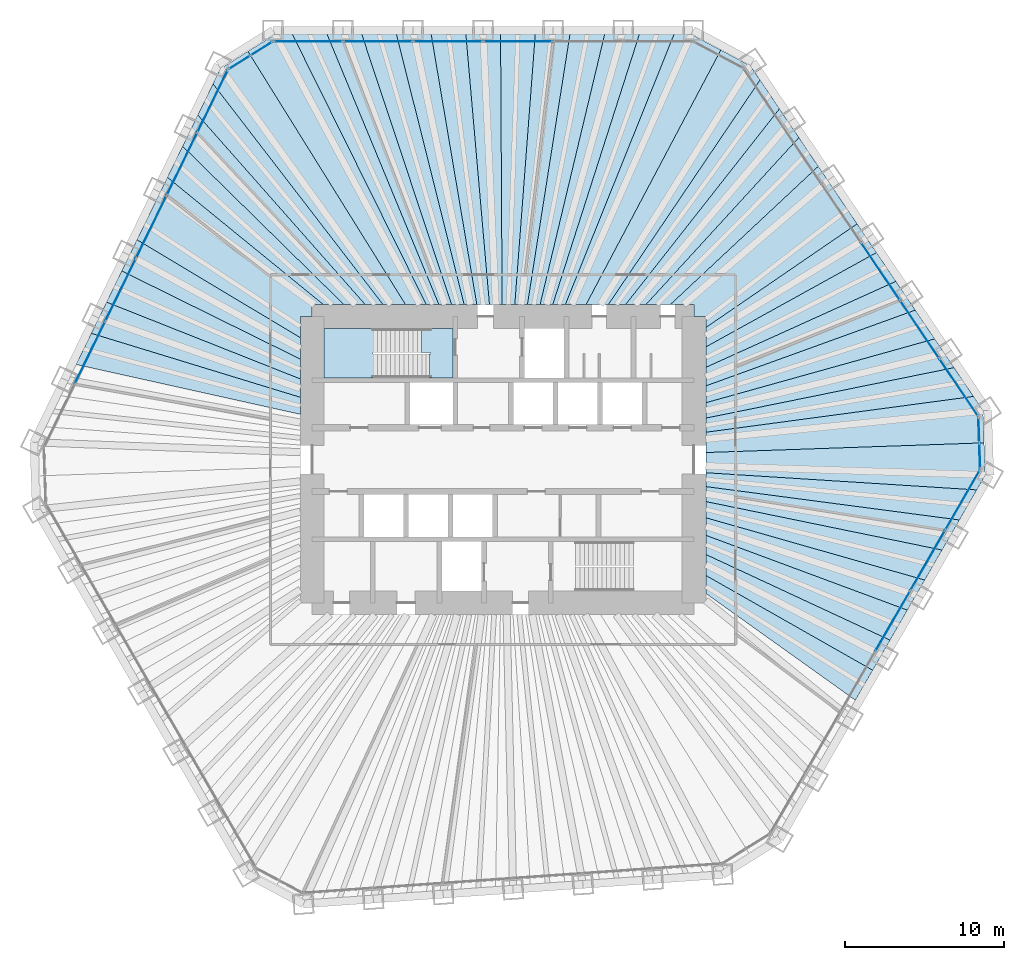
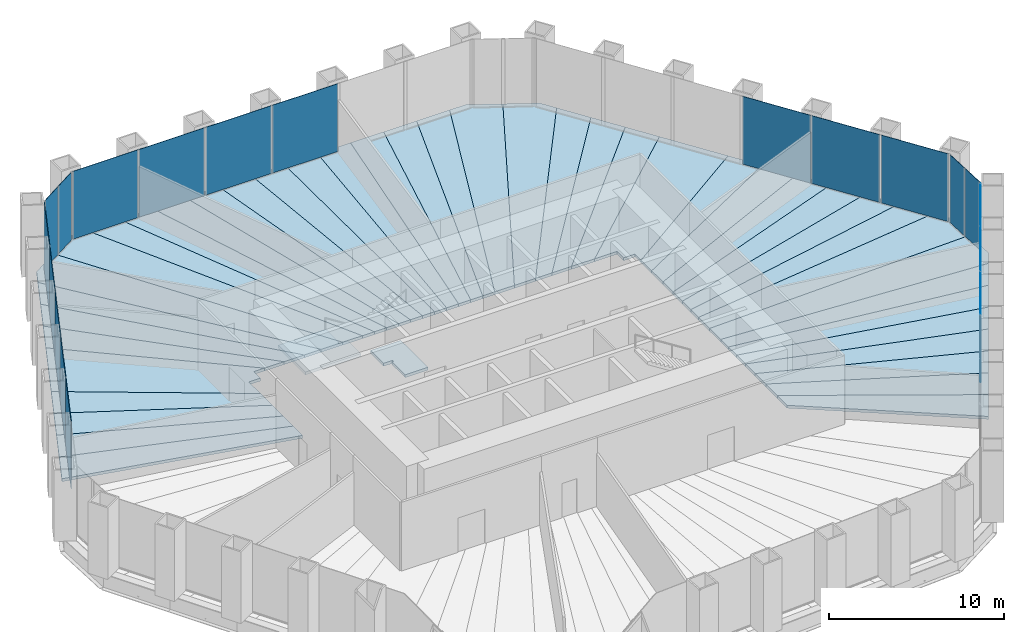
# One storey, part 9 of 13: 44 slabs, 19 plates, 7 elements without a shape of their own.
"""IFC4 building model written with IfcOpenShell, lengths in metres."""

import ifcopenshell
import ifcopenshell.guid

model = None  # the IFC model being written
_history = None  # IfcOwnerHistory: only IFC2X3 demands one
_inside = {}  # id of a spatial element -> (the spatial element, [elements in it])
_under = {}  # id of a project, library or spatial element -> (it, [spatial elements below it])
_declared = {}  # id of a project -> (the project, [libraries it declares])
_typed = {}  # id of a type object -> (the type object, [elements of that type])
_made_of = {}  # id of a material, layer set ... -> (it, [elements and type objects made of it])


def new_model(schema):
    """Start an empty IFC model of exactly this schema.

    Asked for "IFC4X3", IfcOpenShell would pick the latest addendum, in which some entities
    have other attributes; the version numbers below select the first issue.
    IFC2X3 requires an IfcOwnerHistory on every rooted entity: one is made here for all.
    """
    global model, _history
    if schema == "IFC4X3":
        model = ifcopenshell.file(schema_version=(4, 3, 0, 0))
    else:
        model = ifcopenshell.file(schema=schema)
    _inside.clear()
    _under.clear()
    _declared.clear()
    _typed.clear()
    _made_of.clear()
    _history = None
    if model.schema == "IFC2X3":
        org = make("IfcOrganization", Name="unknown")
        user = make(
            "IfcPersonAndOrganization",
            ThePerson=make("IfcPerson", FamilyName="unknown"),
            TheOrganization=org,
        )
        app = make(
            "IfcApplication",
            ApplicationDeveloper=org,
            Version="unknown",
            ApplicationFullName="unknown",
            ApplicationIdentifier="unknown",
        )
        _history = make(
            "IfcOwnerHistory",
            OwningUser=user,
            OwningApplication=app,
            ChangeAction="ADDED",
            CreationDate=0,
        )
    return model


def make(cls, **values):
    """One entity of the class cls with the attributes given. An attribute that is None is left unset."""
    return model.create_entity(
        cls, **{name: value for name, value in values.items() if value is not None}
    )


def rooted(cls, **values):
    """An entity with a GlobalId (a new one), such as an element, a storey or a relation."""
    return make(cls, GlobalId=ifcopenshell.guid.new(), OwnerHistory=_history, **values)


def si_unit(unit_type, name, prefix=None):
    """IfcSIUnit, for example si_unit("LENGTHUNIT", "METRE", prefix="MILLI")."""
    return make("IfcSIUnit", UnitType=unit_type, Prefix=prefix, Name=name)


def assignment(units):
    """IfcUnitAssignment: the units of a project."""
    return None if units is None else make("IfcUnitAssignment", Units=units)


def point(xyz):
    """IfcCartesianPoint."""
    return None if xyz is None else make("IfcCartesianPoint", Coordinates=xyz)


def direction(xyz):
    """IfcDirection."""
    return None if xyz is None else make("IfcDirection", DirectionRatios=xyz)


def frame(location, z_axis=None, x_axis=None):
    """IfcAxis2Placement3D, a coordinate frame: its origin and axes. An axis left out is left unset."""
    return make(
        "IfcAxis2Placement3D",
        Location=point(location),
        Axis=direction(z_axis),
        RefDirection=direction(x_axis),
    )


def frame_2d(location, x_axis=None):
    """IfcAxis2Placement2D, a coordinate frame in the plane: its origin and x axis."""
    return make(
        "IfcAxis2Placement2D", Location=point(location), RefDirection=direction(x_axis)
    )


def origin():
    """The frame at (0, 0, 0) with its axes left unset."""
    return frame((0.0, 0.0, 0.0))


def origin_2d():
    """The frame at (0, 0) in the plane with its x axis left unset."""
    return frame_2d((0.0, 0.0))


def place(relative_to, where):
    """IfcLocalPlacement: puts the frame where relative to a parent placement (None: the world)."""
    return make(
        "IfcLocalPlacement", PlacementRelTo=relative_to, RelativePlacement=where
    )


def context(
    kind, dimensions, precision=None, world=None, true_north=None, identifier=None
):
    """IfcGeometricRepresentationContext, for example the 3D "Model" context."""
    return make(
        "IfcGeometricRepresentationContext",
        ContextIdentifier=identifier,
        ContextType=kind,
        CoordinateSpaceDimension=dimensions,
        Precision=precision,
        WorldCoordinateSystem=world,
        TrueNorth=true_north,
    )


def subcontext(parent, identifier, kind, view, scale=None):
    """IfcGeometricRepresentationSubContext, for example "Body" below "Model"."""
    return make(
        "IfcGeometricRepresentationSubContext",
        ContextIdentifier=identifier,
        ContextType=kind,
        ParentContext=parent,
        TargetScale=scale,
        TargetView=view,
    )


def project(units=None, contexts=None):
    """IfcProject with its units and contexts."""
    return rooted(
        "IfcProject",
        Name="project",
        RepresentationContexts=contexts,
        UnitsInContext=assignment(units),
    )


def spatial(cls, under=None, at=None, **own):
    """A site, building, storey or space (cls), placed at a placement, below another one or the project."""
    s = rooted(cls, ObjectPlacement=at, **own)
    if under is not None:
        _under.setdefault(under.id(), (under, []))[1].append(s)
    return s


def polyline(points):
    """IfcPolyline through the points."""
    return make("IfcPolyline", Points=[point(p) for p in points])


def profile(cls, at=None, kind="AREA", **sizes):
    """A parametric profile (cls). Its sizes go by their IFC names, for example OverallWidth=200.0."""
    return make(cls, ProfileType=kind, Position=at, **sizes)


def rectangle(**sizes):
    """IfcRectangleProfileDef."""
    return profile("IfcRectangleProfileDef", **sizes)


def outline(outer, holes=None, kind="AREA"):
    """IfcArbitraryClosedProfileDef: a profile drawn as a closed curve; with holes, ...WithVoids."""
    if holes is None:
        return make("IfcArbitraryClosedProfileDef", ProfileType=kind, OuterCurve=outer)
    return make(
        "IfcArbitraryProfileDefWithVoids",
        ProfileType=kind,
        OuterCurve=outer,
        InnerCurves=holes,
    )


def extrude(swept, where, along, depth):
    """IfcExtrudedAreaSolid: the profile swept, set in the frame where, extruded along a direction by depth."""
    return make(
        "IfcExtrudedAreaSolid",
        SweptArea=swept,
        Position=where,
        ExtrudedDirection=direction(along),
        Depth=depth,
    )


def shape(context_of_items, identifier, shape_type, items):
    """IfcShapeRepresentation: the items that make up one representation, for example the "Body"."""
    return make(
        "IfcShapeRepresentation",
        ContextOfItems=context_of_items,
        RepresentationIdentifier=identifier,
        RepresentationType=shape_type,
        Items=items,
    )


def material(Name=None, Category=None):
    """IfcMaterial."""
    return make("IfcMaterial", Name=Name, Category=Category)


def layer(
    of_material, thickness, ventilated=None, Name=None, Category=None, Priority=None
):
    """IfcMaterialLayer: one layer of a wall or slab, of a material (None: an air gap)."""
    return make(
        "IfcMaterialLayer",
        Material=of_material,
        LayerThickness=thickness,
        IsVentilated=ventilated,
        Name=Name,
        Category=Category,
        Priority=Priority,
    )


def layer_set(layers, Name=None):
    """IfcMaterialLayerSet."""
    return make("IfcMaterialLayerSet", MaterialLayers=layers, LayerSetName=Name)


def made_of(thing, what):
    """Note that an element or type object is made of a material, layer set ...; save() writes the relation."""
    if what is not None:
        _made_of.setdefault(what.id(), (what, []))[1].append(thing)
    return thing


def type_object(cls, material=None, **own):
    """A type object (cls), such as IfcWallType, which elements share."""
    return made_of(rooted(cls, **own), material)


def element(
    cls,
    number,
    at=None,
    inside=None,
    cuts=None,
    type_object=None,
    material=None,
    context=None,
    identifier="Body",
    shape_type=None,
    held_by="IfcProductDefinitionShape",
    body=None,
    shapes=None,
    **own,
):
    """One element of the class cls, such as IfcWall. Its Tag is "e" and its number.

    at: its placement. inside: the storey or other place that contains it. cuts: it is an
    opening in that element (IfcRelVoidsElement). A single representation is given by context,
    identifier, shape_type and body (its items); several are given by shapes. held_by: the class
    of the entity that holds the representations. save() writes the other relations.
    """
    e = rooted(cls, Tag="e%d" % number, ObjectPlacement=at, **own)
    if body is not None:
        shapes = [shape(context, identifier, shape_type, body)]
    if shapes is not None:
        e.Representation = make(held_by, Representations=shapes)
    if inside is not None:
        _inside.setdefault(inside.id(), (inside, []))[1].append(e)
    if cuts is not None:
        rooted(
            "IfcRelVoidsElement", RelatingBuildingElement=cuts, RelatedOpeningElement=e
        )
    if type_object is not None:
        _typed.setdefault(type_object.id(), (type_object, []))[1].append(e)
    return made_of(e, material)


def aggregate(whole, parts):
    """IfcRelAggregates: a whole, such as a stair, and the parts it consists of."""
    return rooted("IfcRelAggregates", RelatingObject=whole, RelatedObjects=parts)


def save(model, path):
    """Write the relations noted so far, then the file.

    IfcRelAggregates (storeys below a building ...), IfcRelContainedInSpatialStructure (elements
    in a storey), IfcRelDefinesByType, IfcRelAssociatesMaterial and IfcRelDeclares: one each for
    every whole, place, type object, material and project.
    """
    for whole, parts in _under.values():
        aggregate(whole, parts)
    for where, things in _inside.values():
        rooted(
            "IfcRelContainedInSpatialStructure",
            RelatedElements=things,
            RelatingStructure=where,
        )
    for kind, things in _typed.values():
        rooted("IfcRelDefinesByType", RelatedObjects=things, RelatingType=kind)
    for what, things in _made_of.values():
        rooted("IfcRelAssociatesMaterial", RelatedObjects=things, RelatingMaterial=what)
    for by, libraries in _declared.values():
        rooted("IfcRelDeclares", RelatingContext=by, RelatedDefinitions=libraries)
    model.write(path)


model = new_model("IFC4")

# Units and contexts
model_context = context("Model", 3, precision=1e-05, world=origin(), true_north=direction((0.0, 1.0)))
body_context = subcontext(model_context, "Body", "Model", "MODEL_VIEW")
ifc_project = project(units=[si_unit("LENGTHUNIT", "METRE"), si_unit("AREAUNIT", "SQUARE_METRE"), si_unit("VOLUMEUNIT", "CUBIC_METRE"), si_unit("PLANEANGLEUNIT", "RADIAN"), si_unit("MASSUNIT", "GRAM", prefix="KILO")], contexts=[model_context])

# Site, building, storey
site_placement = place(None, origin())
site = spatial("IfcSite", under=ifc_project, at=site_placement, CompositionType="ELEMENT")
building_placement = place(site_placement, origin())
building = spatial("IfcBuilding", under=site, at=building_placement, Name="Qingtian Harvest Tower", CompositionType="ELEMENT")
storey_placement = place(building_placement, frame((0.0, 0.0, 42.0)))
storey = spatial("IfcBuildingStorey", under=building, at=storey_placement, Name="L08", CompositionType="ELEMENT", Elevation=42.0)

# Slabs
ifc_material_1 = material(Name="Concrete fc' 35 MPa", Category="concrete")
ifc_layer_1 = layer(ifc_material_1, 0.199951171875)
ifc_layer_set_1 = layer_set([ifc_layer_1], Name="Composite floor slab FS20 200")
slab_type_1 = type_object("IfcSlabType", Name="Composite floor slab FS20 200", PredefinedType="FLOOR", material=ifc_layer_set_1)
slab_1_placement = place(storey_placement, frame((0.0, 0.0, -0.199951171875)))
element("IfcSlab", 1, at=slab_1_placement, inside=storey, type_object=slab_type_1, Name="Floor slab L08 panel D32", PredefinedType="FLOOR", context=body_context, shape_type="SweptSolid", body=[
    extrude(outline(polyline([(12.75, -7.279052734375), (23.247802734375, -13.243408203125), (22.159423828125, -15.128662109375), (12.75, -8.4091796875), (12.75, -7.279052734375)])), origin(), (0.0, 0.0, 1.0), 0.199951171875),
])
slab_2_placement = place(storey_placement, frame((0.0, 0.0, -0.199951171875)))
element("IfcSlab", 2, at=slab_2_placement, inside=storey, type_object=slab_type_1, Name="Floor slab L08 panel D33", PredefinedType="FLOOR", context=body_context, shape_type="SweptSolid", body=[
    extrude(outline(polyline([(12.75, -5.96142578125), (24.339111328125, -11.353515625), (23.247802734375, -13.243408203125), (12.75, -7.279052734375), (12.75, -5.96142578125)])), origin(), (0.0, 0.0, 1.0), 0.199951171875),
])
slab_3_placement = place(storey_placement, frame((0.0, 0.0, -0.199951171875)))
element("IfcSlab", 3, at=slab_3_placement, inside=storey, type_object=slab_type_1, Name="Floor slab L08 panel D34", PredefinedType="FLOOR", context=body_context, shape_type="SweptSolid", body=[
    extrude(outline(polyline([(12.75, -4.757080078125), (25.43017578125, -9.46337890625), (24.339111328125, -11.353515625), (12.75, -5.96142578125), (12.75, -4.757080078125)])), origin(), (0.0, 0.0, 1.0), 0.199951171875),
])
slab_4_placement = place(storey_placement, frame((0.0, 0.0, -0.199951171875)))
element("IfcSlab", 4, at=slab_4_placement, inside=storey, type_object=slab_type_1, Name="Floor slab L08 panel D35", PredefinedType="FLOOR", context=body_context, shape_type="SweptSolid", body=[
    extrude(outline(polyline([(12.75, -3.651611328125), (26.521484375, -7.573486328125), (25.43017578125, -9.46337890625), (12.75, -4.757080078125), (12.75, -3.651611328125)])), origin(), (0.0, 0.0, 1.0), 0.199951171875),
])
slab_5_placement = place(storey_placement, frame((0.0, 0.0, -0.199951171875)))
element("IfcSlab", 5, at=slab_5_placement, inside=storey, type_object=slab_type_1, Name="Floor slab L08 panel D36", PredefinedType="FLOOR", context=body_context, shape_type="SweptSolid", body=[
    extrude(outline(polyline([(12.75, -2.634033203125), (27.612548828125, -5.68359375), (26.521484375, -7.573486328125), (12.75, -3.651611328125), (12.75, -2.634033203125)])), origin(), (0.0, 0.0, 1.0), 0.199951171875),
])
slab_6_placement = place(storey_placement, frame((0.0, 0.0, -0.199951171875)))
element("IfcSlab", 6, at=slab_6_placement, inside=storey, type_object=slab_type_1, Name="Floor slab L08 panel D37", PredefinedType="FLOOR", context=body_context, shape_type="SweptSolid", body=[
    extrude(outline(polyline([(12.75, -1.693603515625), (28.703857421875, -3.793701171875), (27.612548828125, -5.68359375), (12.75, -2.634033203125), (12.75, -1.693603515625)])), origin(), (0.0, 0.0, 1.0), 0.199951171875),
])
slab_7_placement = place(storey_placement, frame((0.0, 0.0, -0.199951171875)))
element("IfcSlab", 7, at=slab_7_placement, inside=storey, type_object=slab_type_1, Name="Floor slab L08 panel D38", PredefinedType="FLOOR", context=body_context, shape_type="SweptSolid", body=[
    extrude(outline(polyline([(12.75, -0.822265625), (29.794921875, -1.903564453125), (28.703857421875, -3.793701171875), (12.75, -1.693603515625), (12.75, -0.822265625)])), origin(), (0.0, 0.0, 1.0), 0.199951171875),
])
slab_8_placement = place(storey_placement, frame((0.0, 0.0, -0.199951171875)))
element("IfcSlab", 8, at=slab_8_placement, inside=storey, type_object=slab_type_1, Name="Floor slab L08 panel D39", PredefinedType="FLOOR", context=body_context, shape_type="SweptSolid", body=[
    extrude(outline(polyline([(12.75, -0.822265625), (12.75, 0.447265625), (30.2587890625, 1.056640625), (30.32958984375, -0.9775390625), (29.794921875, -1.903564453125), (12.75, -0.822265625)])), origin(), (0.0, 0.0, 1.0), 0.199951171875),
])
slab_9_placement = place(storey_placement, frame((0.0, 0.0, -0.199951171875)))
element("IfcSlab", 9, at=slab_9_placement, inside=storey, type_object=slab_type_1, Name="Floor slab L08 panel D40", PredefinedType="FLOOR", context=body_context, shape_type="SweptSolid", body=[
    extrude(outline(polyline([(12.75, 0.447265625), (12.75, 1.72265625), (29.589599609375, 3.977294921875), (30.187744140625, 3.0908203125), (30.2587890625, 1.056640625), (12.75, 0.447265625)])), origin(), (0.0, 0.0, 1.0), 0.199951171875),
])
slab_10_placement = place(storey_placement, frame((0.0, 0.0, -0.199951171875)))
element("IfcSlab", 10, at=slab_10_placement, inside=storey, type_object=slab_type_1, Name="Floor slab L08 panel D41", PredefinedType="FLOOR", context=body_context, shape_type="SweptSolid", body=[
    extrude(outline(polyline([(12.75, 2.610595703125), (28.369140625, 5.78662109375), (29.589599609375, 3.977294921875), (12.75, 1.72265625), (12.75, 2.610595703125)])), origin(), (0.0, 0.0, 1.0), 0.199951171875),
])
slab_11_placement = place(storey_placement, frame((0.0, 0.0, -0.199951171875)))
element("IfcSlab", 11, at=slab_11_placement, inside=storey, type_object=slab_type_1, Name="Floor slab L08 panel D42", PredefinedType="FLOOR", context=body_context, shape_type="SweptSolid", body=[
    extrude(outline(polyline([(12.75, 3.57861328125), (27.14892578125, 7.595947265625), (28.369140625, 5.78662109375), (12.75, 2.610595703125), (12.75, 3.57861328125)])), origin(), (0.0, 0.0, 1.0), 0.199951171875),
])
slab_12_placement = place(storey_placement, frame((0.0, 0.0, -0.199951171875)))
element("IfcSlab", 12, at=slab_12_placement, inside=storey, type_object=slab_type_1, Name="Floor slab L08 panel D43", PredefinedType="FLOOR", context=body_context, shape_type="SweptSolid", body=[
    extrude(outline(polyline([(12.75, 4.6376953125), (25.928466796875, 9.405029296875), (27.14892578125, 7.595947265625), (12.75, 3.57861328125), (12.75, 4.6376953125)])), origin(), (0.0, 0.0, 1.0), 0.199951171875),
])
slab_13_placement = place(storey_placement, frame((0.0, 0.0, -0.199951171875)))
element("IfcSlab", 13, at=slab_13_placement, inside=storey, type_object=slab_type_1, Name="Floor slab L08 panel D44", PredefinedType="FLOOR", context=body_context, shape_type="SweptSolid", body=[
    extrude(outline(polyline([(12.75, 5.8017578125), (24.708251953125, 11.21435546875), (25.928466796875, 9.405029296875), (12.75, 4.6376953125), (12.75, 5.8017578125)])), origin(), (0.0, 0.0, 1.0), 0.199951171875),
])
slab_14_placement = place(storey_placement, frame((0.0, 0.0, -0.199951171875)))
element("IfcSlab", 14, at=slab_14_placement, inside=storey, type_object=slab_type_1, Name="Floor slab L08 panel D45", PredefinedType="FLOOR", context=body_context, shape_type="SweptSolid", body=[
    extrude(outline(polyline([(12.75, 7.087158203125), (23.48779296875, 13.023681640625), (24.708251953125, 11.21435546875), (12.75, 5.8017578125), (12.75, 7.087158203125)])), origin(), (0.0, 0.0, 1.0), 0.199951171875),
])
slab_15_placement = place(storey_placement, frame((0.0, 0.0, -0.199951171875)))
element("IfcSlab", 15, at=slab_15_placement, inside=storey, type_object=slab_type_1, Name="Floor slab L08 panel D46", PredefinedType="FLOOR", context=body_context, shape_type="SweptSolid", body=[
    extrude(outline(polyline([(12.75, 8.30615234375), (22.26953125, 14.829833984375), (23.48779296875, 13.023681640625), (12.75, 7.087158203125), (12.75, 8.30615234375)])), origin(), (0.0, 0.0, 1.0), 0.199951171875),
])
slab_16_placement = place(storey_placement, frame((0.0, 0.0, -0.199951171875)))
element("IfcSlab", 16, at=slab_16_placement, inside=storey, type_object=slab_type_1, Name="Floor slab L08 panel D48", PredefinedType="FLOOR", context=body_context, shape_type="SweptSolid", body=[
    extrude(outline(polyline([(19.8271484375, 18.45068359375), (22.26953125, 14.829833984375), (12.75, 8.30615234375), (12.75, 9.0), (12.0, 9.0), (12.0, 9.75), (10.51806640625, 9.75), (19.8271484375, 18.45068359375)])), origin(), (0.0, 0.0, 1.0), 0.199951171875),
])
slab_17_placement = place(storey_placement, frame((0.0, 0.0, -0.199951171875)))
element("IfcSlab", 17, at=slab_17_placement, inside=storey, type_object=slab_type_1, Name="Floor slab L08 panel D49", PredefinedType="FLOOR", context=body_context, shape_type="SweptSolid", body=[
    extrude(outline(polyline([(8.985107421875, 9.75), (18.60693359375, 20.260009765625), (19.8271484375, 18.45068359375), (10.51806640625, 9.75), (8.985107421875, 9.75)])), origin(), (0.0, 0.0, 1.0), 0.199951171875),
])
slab_18_placement = place(storey_placement, frame((0.0, 0.0, -0.199951171875)))
element("IfcSlab", 18, at=slab_18_placement, inside=storey, type_object=slab_type_1, Name="Floor slab L08 panel D50", PredefinedType="FLOOR", context=body_context, shape_type="SweptSolid", body=[
    extrude(outline(polyline([(7.705078125, 9.75), (17.386474609375, 22.0693359375), (18.60693359375, 20.260009765625), (8.985107421875, 9.75), (7.705078125, 9.75)])), origin(), (0.0, 0.0, 1.0), 0.199951171875),
])
slab_19_placement = place(storey_placement, frame((0.0, 0.0, -0.199951171875)))
element("IfcSlab", 19, at=slab_19_placement, inside=storey, type_object=slab_type_1, Name="Floor slab L08 panel D51", PredefinedType="FLOOR", context=body_context, shape_type="SweptSolid", body=[
    extrude(outline(polyline([(6.61962890625, 9.75), (16.166015625, 23.87841796875), (17.386474609375, 22.0693359375), (7.705078125, 9.75), (6.61962890625, 9.75)])), origin(), (0.0, 0.0, 1.0), 0.199951171875),
])
slab_20_placement = place(storey_placement, frame((0.0, 0.0, -0.199951171875)))
element("IfcSlab", 20, at=slab_20_placement, inside=storey, type_object=slab_type_1, Name="Floor slab L08 panel D52", PredefinedType="FLOOR", context=body_context, shape_type="SweptSolid", body=[
    extrude(outline(polyline([(6.61962890625, 9.75), (5.21875, 9.75), (13.697265625, 25.760009765625), (15.56787109375, 24.765380859375), (16.166015625, 23.87841796875), (6.61962890625, 9.75)])), origin(), (0.0, 0.0, 1.0), 0.199951171875),
])
slab_21_placement = place(storey_placement, frame((0.0, 0.0, -0.199951171875)))
element("IfcSlab", 21, at=slab_21_placement, inside=storey, type_object=slab_type_1, Name="Floor slab L08 panel D53", PredefinedType="FLOOR", context=body_context, shape_type="SweptSolid", body=[
    extrude(outline(polyline([(3.919921875, 9.75), (10.756591796875, 26.7548828125), (11.825927734375, 26.7548828125), (13.697265625, 25.760009765625), (5.21875, 9.75), (3.919921875, 9.75)])), origin(), (0.0, 0.0, 1.0), 0.199951171875),
])
slab_22_placement = place(storey_placement, frame((0.0, 0.0, -0.199951171875)))
element("IfcSlab", 22, at=slab_22_placement, inside=storey, type_object=slab_type_1, Name="Floor slab L08 panel D54", PredefinedType="FLOOR", context=body_context, shape_type="SweptSolid", body=[
    extrude(outline(polyline([(3.12451171875, 9.75), (8.57421875, 26.7548828125), (10.756591796875, 26.7548828125), (3.919921875, 9.75), (3.12451171875, 9.75)])), origin(), (0.0, 0.0, 1.0), 0.199951171875),
])
slab_23_placement = place(storey_placement, frame((0.0, 0.0, -0.199951171875)))
element("IfcSlab", 23, at=slab_23_placement, inside=storey, type_object=slab_type_1, Name="Floor slab L08 panel D55", PredefinedType="FLOOR", context=body_context, shape_type="SweptSolid", body=[
    extrude(outline(polyline([(2.329345703125, 9.75), (6.391845703125, 26.7548828125), (8.57421875, 26.7548828125), (3.12451171875, 9.75), (2.329345703125, 9.75)])), origin(), (0.0, 0.0, 1.0), 0.199951171875),
])
slab_24_placement = place(storey_placement, frame((0.0, 0.0, -0.199951171875)))
element("IfcSlab", 24, at=slab_24_placement, inside=storey, type_object=slab_type_1, Name="Floor slab L08 panel D56", PredefinedType="FLOOR", context=body_context, shape_type="SweptSolid", body=[
    extrude(outline(polyline([(1.533935546875, 9.75), (4.20947265625, 26.7548828125), (6.391845703125, 26.7548828125), (2.329345703125, 9.75), (1.533935546875, 9.75)])), origin(), (0.0, 0.0, 1.0), 0.199951171875),
])
slab_25_placement = place(storey_placement, frame((0.0, 0.0, -0.199951171875)))
element("IfcSlab", 25, at=slab_25_placement, inside=storey, type_object=slab_type_1, Name="Floor slab L08 panel D57", PredefinedType="FLOOR", context=body_context, shape_type="SweptSolid", body=[
    extrude(outline(polyline([(0.73876953125, 9.75), (2.02734375, 26.7548828125), (4.20947265625, 26.7548828125), (1.533935546875, 9.75), (0.73876953125, 9.75)])), origin(), (0.0, 0.0, 1.0), 0.199951171875),
])
slab_26_placement = place(storey_placement, frame((0.0, 0.0, -0.199951171875)))
element("IfcSlab", 26, at=slab_26_placement, inside=storey, type_object=slab_type_1, Name="Floor slab L08 panel D58", PredefinedType="FLOOR", context=body_context, shape_type="SweptSolid", body=[
    extrude(outline(polyline([(-0.056396484375, 9.75), (-0.155029296875, 26.7548828125), (2.02734375, 26.7548828125), (0.73876953125, 9.75), (-0.056396484375, 9.75)])), origin(), (0.0, 0.0, 1.0), 0.199951171875),
])
slab_27_placement = place(storey_placement, frame((0.0, 0.0, -0.199951171875)))
element("IfcSlab", 27, at=slab_27_placement, inside=storey, type_object=slab_type_1, Name="Floor slab L08 panel D59", PredefinedType="FLOOR", context=body_context, shape_type="SweptSolid", body=[
    extrude(outline(polyline([(-0.851806640625, 9.75), (-2.33740234375, 26.7548828125), (-0.155029296875, 26.7548828125), (-0.056396484375, 9.75), (-0.851806640625, 9.75)])), origin(), (0.0, 0.0, 1.0), 0.199951171875),
])
slab_28_placement = place(storey_placement, frame((0.0, 0.0, -0.199951171875)))
element("IfcSlab", 28, at=slab_28_placement, inside=storey, type_object=slab_type_1, Name="Floor slab L08 panel D60", PredefinedType="FLOOR", context=body_context, shape_type="SweptSolid", body=[
    extrude(outline(polyline([(-1.64697265625, 9.75), (-4.519775390625, 26.7548828125), (-2.33740234375, 26.7548828125), (-0.851806640625, 9.75), (-1.64697265625, 9.75)])), origin(), (0.0, 0.0, 1.0), 0.199951171875),
])
slab_29_placement = place(storey_placement, frame((0.0, 0.0, -0.199951171875)))
element("IfcSlab", 29, at=slab_29_placement, inside=storey, type_object=slab_type_1, Name="Floor slab L08 panel D61", PredefinedType="FLOOR", context=body_context, shape_type="SweptSolid", body=[
    extrude(outline(polyline([(-2.4423828125, 9.75), (-6.7021484375, 26.7548828125), (-4.519775390625, 26.7548828125), (-1.64697265625, 9.75), (-2.4423828125, 9.75)])), origin(), (0.0, 0.0, 1.0), 0.199951171875),
])
slab_30_placement = place(storey_placement, frame((0.0, 0.0, -0.199951171875)))
element("IfcSlab", 30, at=slab_30_placement, inside=storey, type_object=slab_type_1, Name="Floor slab L08 panel D62", PredefinedType="FLOOR", context=body_context, shape_type="SweptSolid", body=[
    extrude(outline(polyline([(-3.237548828125, 9.75), (-8.88427734375, 26.7548828125), (-6.7021484375, 26.7548828125), (-2.4423828125, 9.75), (-3.237548828125, 9.75)])), origin(), (0.0, 0.0, 1.0), 0.199951171875),
])
slab_31_placement = place(storey_placement, frame((0.0, 0.0, -0.199951171875)))
element("IfcSlab", 31, at=slab_31_placement, inside=storey, type_object=slab_type_1, Name="Floor slab L08 panel D63", PredefinedType="FLOOR", context=body_context, shape_type="SweptSolid", body=[
    extrude(outline(polyline([(-4.032958984375, 9.75), (-11.066650390625, 26.7548828125), (-8.88427734375, 26.7548828125), (-3.237548828125, 9.75), (-4.032958984375, 9.75)])), origin(), (0.0, 0.0, 1.0), 0.199951171875),
])
slab_32_placement = place(storey_placement, frame((0.0, 0.0, -0.199951171875)))
element("IfcSlab", 32, at=slab_32_placement, inside=storey, type_object=slab_type_1, Name="Floor slab L08 panel D64", PredefinedType="FLOOR", context=body_context, shape_type="SweptSolid", body=[
    extrude(outline(polyline([(-4.828125, 9.75), (-13.2490234375, 26.7548828125), (-11.066650390625, 26.7548828125), (-4.032958984375, 9.75), (-4.828125, 9.75)])), origin(), (0.0, 0.0, 1.0), 0.199951171875),
])
slab_33_placement = place(storey_placement, frame((0.0, 0.0, -0.199951171875)))
element("IfcSlab", 33, at=slab_33_placement, inside=storey, type_object=slab_type_1, Name="Floor slab L08 panel D65", PredefinedType="FLOOR", context=body_context, shape_type="SweptSolid", body=[
    extrude(outline(polyline([(-4.828125, 9.75), (-6.130126953125, 9.75), (-16.044921875, 25.67626953125), (-14.318359375, 26.7548828125), (-13.2490234375, 26.7548828125), (-4.828125, 9.75)])), origin(), (0.0, 0.0, 1.0), 0.199951171875),
])
slab_34_placement = place(storey_placement, frame((0.0, 0.0, -0.199951171875)))
element("IfcSlab", 34, at=slab_34_placement, inside=storey, type_object=slab_type_1, Name="Floor slab L08 panel D66", PredefinedType="FLOOR", context=body_context, shape_type="SweptSolid", body=[
    extrude(outline(polyline([(-6.130126953125, 9.75), (-7.544677734375, 9.75), (-18.239501953125, 23.636474609375), (-17.7705078125, 24.597900390625), (-16.044921875, 25.67626953125), (-6.130126953125, 9.75)])), origin(), (0.0, 0.0, 1.0), 0.199951171875),
])
slab_35_placement = place(storey_placement, frame((0.0, 0.0, -0.199951171875)))
element("IfcSlab", 35, at=slab_35_placement, inside=storey, type_object=slab_type_1, Name="Floor slab L08 panel D67", PredefinedType="FLOOR", context=body_context, shape_type="SweptSolid", body=[
    extrude(outline(polyline([(-8.662109375, 9.75), (-19.196044921875, 21.675048828125), (-18.239501953125, 23.636474609375), (-7.544677734375, 9.75), (-8.662109375, 9.75)])), origin(), (0.0, 0.0, 1.0), 0.199951171875),
])
slab_36_placement = place(storey_placement, frame((0.0, 0.0, -0.199951171875)))
element("IfcSlab", 36, at=slab_36_placement, inside=storey, type_object=slab_type_1, Name="Floor slab L08 panel D68", PredefinedType="FLOOR", context=body_context, shape_type="SweptSolid", body=[
    extrude(outline(polyline([(-10.00341796875, 9.75), (-20.15283203125, 19.71337890625), (-19.196044921875, 21.675048828125), (-8.662109375, 9.75), (-10.00341796875, 9.75)])), origin(), (0.0, 0.0, 1.0), 0.199951171875),
])
slab_37_placement = place(storey_placement, frame((0.0, 0.0, -0.199951171875)))
element("IfcSlab", 37, at=slab_37_placement, inside=storey, type_object=slab_type_1, Name="Floor slab L08 panel D69", PredefinedType="FLOOR", context=body_context, shape_type="SweptSolid", body=[
    extrude(outline(polyline([(-11.2939453125, 9.75), (-21.107666015625, 17.755859375), (-20.15283203125, 19.71337890625), (-10.00341796875, 9.75), (-11.2939453125, 9.75)])), origin(), (0.0, 0.0, 1.0), 0.199951171875),
])
slab_38_placement = place(storey_placement, frame((0.0, 0.0, -0.199951171875)))
element("IfcSlab", 38, at=slab_38_placement, inside=storey, type_object=slab_type_1, Name="Floor slab L08 panel D70", PredefinedType="FLOOR", context=body_context, shape_type="SweptSolid", body=[
    extrude(outline(polyline([(-12.0, 9.0), (-12.75, 9.0), (-12.75, 7.67333984375), (-23.0224609375, 13.82958984375), (-21.107666015625, 17.755859375), (-11.2939453125, 9.75), (-12.0, 9.75), (-12.0, 9.0)])), origin(), (0.0, 0.0, 1.0), 0.199951171875),
])
slab_39_placement = place(storey_placement, frame((0.0, 0.0, -0.199951171875)))
element("IfcSlab", 39, at=slab_39_placement, inside=storey, type_object=slab_type_1, Name="Floor slab L08 panel D72", PredefinedType="FLOOR", context=body_context, shape_type="SweptSolid", body=[
    extrude(outline(polyline([(-12.75, 6.3232421875), (-23.979248046875, 11.8681640625), (-23.0224609375, 13.82958984375), (-12.75, 7.67333984375), (-12.75, 6.3232421875)])), origin(), (0.0, 0.0, 1.0), 0.199951171875),
])
slab_40_placement = place(storey_placement, frame((0.0, 0.0, -0.199951171875)))
element("IfcSlab", 40, at=slab_40_placement, inside=storey, type_object=slab_type_1, Name="Floor slab L08 panel D73", PredefinedType="FLOOR", context=body_context, shape_type="SweptSolid", body=[
    extrude(outline(polyline([(-12.75, 5.076904296875), (-24.935791015625, 9.90673828125), (-23.979248046875, 11.8681640625), (-12.75, 6.3232421875), (-12.75, 5.076904296875)])), origin(), (0.0, 0.0, 1.0), 0.199951171875),
])
slab_41_placement = place(storey_placement, frame((0.0, 0.0, -0.199951171875)))
element("IfcSlab", 41, at=slab_41_placement, inside=storey, type_object=slab_type_1, Name="Floor slab L08 panel D74", PredefinedType="FLOOR", context=body_context, shape_type="SweptSolid", body=[
    extrude(outline(polyline([(-12.75, 3.922607421875), (-25.892578125, 7.9453125), (-24.935791015625, 9.90673828125), (-12.75, 5.076904296875), (-12.75, 3.922607421875)])), origin(), (0.0, 0.0, 1.0), 0.199951171875),
])
slab_42_placement = place(storey_placement, frame((0.0, 0.0, -0.199951171875)))
element("IfcSlab", 42, at=slab_42_placement, inside=storey, type_object=slab_type_1, Name="Floor slab L08 panel D75", PredefinedType="FLOOR", context=body_context, shape_type="SweptSolid", body=[
    extrude(outline(polyline([(-12.75, 2.8505859375), (-26.84912109375, 5.98388671875), (-25.892578125, 7.9453125), (-12.75, 3.922607421875), (-12.75, 2.8505859375)])), origin(), (0.0, 0.0, 1.0), 0.199951171875),
])

# Curtain wall, plates
ifc_material_2 = material(Name="Bronze-anodised aluminium curtain wall", Category="aluminium")
curtain_wall_type = type_object("IfcCurtainWallType", Name="Curtain wall CW2 farm reception", PredefinedType="USERDEFINED", material=ifc_material_2)
curtain_wall_1_placement = place(storey_placement, origin())
curtain_wall_1 = element("IfcCurtainWall", 43, at=curtain_wall_1_placement, inside=storey, type_object=curtain_wall_type, Name="Curtain wall CW2 L08 N0-5", ObjectType="RECESSED CURTAIN WALL", PredefinedType="USERDEFINED")
ifc_material_3 = material(Name="Bronze-tinted laminated insulating glass", Category="glass")
ifc_layer_2 = layer(ifc_material_3, 0.030029296875)
ifc_layer_set_2 = layer_set([ifc_layer_2], Name="Glazed panel CWP tinted IGU")
plate_type = type_object("IfcPlateType", Name="Glazed panel CWP tinted IGU", PredefinedType="CURTAIN_PANEL", material=ifc_layer_set_2)
plate_1_placement = place(storey_placement, frame((-12.2529296875, 26.300048828125, 0.06494140625), z_axis=(0.0, 0.0, 1.0), x_axis=(1.0, 0.0, 0.0)))
plate_1 = element("IfcPlate", 44, at=plate_1_placement, type_object=plate_type, Name="CW2 panel 1.1", PredefinedType="CURTAIN_PANEL", context=body_context, shape_type="SweptSolid", body=[
    extrude(rectangle(XDim=4.30712890625, YDim=0.030029296875, at=origin_2d()), origin(), (0.0, 0.0, 1.0), 4.735107421875),
])
plate_2_placement = place(storey_placement, frame((-7.864501953125, 26.300048828125, 0.06494140625), z_axis=(0.0, 0.0, 1.0), x_axis=(1.0, 0.0, 0.0)))
plate_2 = element("IfcPlate", 45, at=plate_2_placement, type_object=plate_type, Name="CW2 panel 2.1", PredefinedType="CURTAIN_PANEL", context=body_context, shape_type="SweptSolid", body=[
    extrude(rectangle(XDim=4.339599609375, YDim=0.030029296875, at=origin_2d()), origin(), (0.0, 0.0, 1.0), 4.735107421875),
])
plate_3_placement = place(storey_placement, frame((-3.4599609375, 26.300048828125, 0.06494140625), z_axis=(0.0, 0.0, 1.0), x_axis=(1.0, 0.0, 0.0)))
plate_3 = element("IfcPlate", 46, at=plate_3_placement, type_object=plate_type, Name="CW2 panel 3.1", PredefinedType="CURTAIN_PANEL", context=body_context, shape_type="SweptSolid", body=[
    extrude(rectangle(XDim=4.339599609375, YDim=0.030029296875, at=origin_2d()), origin(), (0.0, 0.0, 1.0), 4.735107421875),
])
plate_4_placement = place(storey_placement, frame((0.944580078125, 26.300048828125, 0.06494140625), z_axis=(0.0, 0.0, 1.0), x_axis=(1.0, 0.0, 0.0)))
plate_4 = element("IfcPlate", 47, at=plate_4_placement, type_object=plate_type, Name="CW2 panel 4.1", PredefinedType="CURTAIN_PANEL", context=body_context, shape_type="SweptSolid", body=[
    extrude(rectangle(XDim=4.339599609375, YDim=0.030029296875, at=origin_2d()), origin(), (0.0, 0.0, 1.0), 4.735107421875),
])
aggregate(curtain_wall_1, [plate_1, plate_2, plate_3, plate_4])

curtain_wall_2_placement = place(storey_placement, origin())
curtain_wall_2 = element("IfcCurtainWall", 48, at=curtain_wall_2_placement, inside=storey, type_object=curtain_wall_type, Name="Curtain wall CW2 L08 NE0-5", ObjectType="RECESSED CURTAIN WALL", PredefinedType="USERDEFINED")
plate_5_placement = place(storey_placement, frame((23.738525390625, 11.83837890625, 0.06494140625), z_axis=(0.0, 0.0, 1.0), x_axis=(0.559192903471, -0.829037572555, 0.0)))
plate_5 = element("IfcPlate", 49, at=plate_5_placement, type_object=plate_type, Name="CW2 panel 4.1", PredefinedType="CURTAIN_PANEL", context=body_context, shape_type="SweptSolid", body=[
    extrude(rectangle(XDim=4.339599609375, YDim=0.030029296875, at=origin_2d()), origin(), (0.0, 0.0, 1.0), 4.735107421875),
])
plate_6_placement = place(storey_placement, frame((26.201416015625, 8.186767578125, 0.06494140625), z_axis=(0.0, 0.0, 1.0), x_axis=(0.559192903471, -0.829037572555, 0.0)))
plate_6 = element("IfcPlate", 50, at=plate_6_placement, type_object=plate_type, Name="CW2 panel 5.1", PredefinedType="CURTAIN_PANEL", context=body_context, shape_type="SweptSolid", body=[
    extrude(rectangle(XDim=4.339599609375, YDim=0.030029296875, at=origin_2d()), origin(), (0.0, 0.0, 1.0), 4.735107421875),
])
plate_7_placement = place(storey_placement, frame((28.655517578125, 4.548583984375, 0.06494140625), z_axis=(0.0, 0.0, 1.0), x_axis=(0.559192903471, -0.829037572555, 0.0)))
plate_7 = element("IfcPlate", 51, at=plate_7_placement, type_object=plate_type, Name="CW2 panel 6.1", PredefinedType="CURTAIN_PANEL", context=body_context, shape_type="SweptSolid", body=[
    extrude(rectangle(XDim=4.30712890625, YDim=0.030029296875, at=origin_2d()), origin(), (0.0, 0.0, 1.0), 4.735107421875),
])
aggregate(curtain_wall_2, [plate_5, plate_6, plate_7])

curtain_wall_3_placement = place(storey_placement, origin())
curtain_wall_3 = element("IfcCurtainWall", 52, at=curtain_wall_3_placement, inside=storey, type_object=curtain_wall_type, Name="Curtain wall CW2 L08 NEC", ObjectType="RECESSED CURTAIN WALL", PredefinedType="USERDEFINED")
plate_8_placement = place(storey_placement, frame((29.925537109375, 1.861572265625, 0.06494140625), z_axis=(0.0, 0.0, 1.0), x_axis=(0.034899496703, -0.999390827019, 0.0)))
plate_8 = element("IfcPlate", 53, at=plate_8_placement, type_object=plate_type, Name="CW2 panel 1.1", PredefinedType="CURTAIN_PANEL", context=body_context, shape_type="SweptSolid", body=[
    extrude(rectangle(XDim=1.56689453125, YDim=0.030029296875, at=origin_2d()), origin(), (0.0, 0.0, 1.0), 4.735107421875),
])
plate_9_placement = place(storey_placement, frame((29.982666015625, 0.23046875, 0.06494140625), z_axis=(0.0, 0.0, 1.0), x_axis=(0.034899496703, -0.999390827019, 0.0)))
plate_9 = element("IfcPlate", 54, at=plate_9_placement, type_object=plate_type, Name="CW2 panel 2.1", PredefinedType="CURTAIN_PANEL", context=body_context, shape_type="SweptSolid", body=[
    extrude(rectangle(XDim=1.56689453125, YDim=0.030029296875, at=origin_2d()), origin(), (0.0, 0.0, 1.0), 4.735107421875),
])
aggregate(curtain_wall_3, [plate_8, plate_9])

curtain_wall_4_placement = place(storey_placement, origin())
curtain_wall_4 = element("IfcCurtainWall", 55, at=curtain_wall_4_placement, inside=storey, type_object=curtain_wall_type, Name="Curtain wall CW2 L08 SE0-5", ObjectType="RECESSED CURTAIN WALL", PredefinedType="USERDEFINED")
plate_10_placement = place(storey_placement, frame((28.90283203125, -2.53857421875, 0.06494140625), z_axis=(0.0, 0.0, 1.0), x_axis=(-0.5, -0.866025403784, 0.0)))
plate_10 = element("IfcPlate", 56, at=plate_10_placement, type_object=plate_type, Name="CW2 panel 1.1", PredefinedType="CURTAIN_PANEL", context=body_context, shape_type="SweptSolid", body=[
    extrude(rectangle(XDim=4.30712890625, YDim=0.030029296875, at=origin_2d()), origin(), (0.0, 0.0, 1.0), 4.735107421875),
])
plate_11_placement = place(storey_placement, frame((26.708740234375, -6.339111328125, 0.06494140625), z_axis=(0.0, 0.0, 1.0), x_axis=(-0.5, -0.866025403784, 0.0)))
plate_11 = element("IfcPlate", 57, at=plate_11_placement, type_object=plate_type, Name="CW2 panel 2.1", PredefinedType="CURTAIN_PANEL", context=body_context, shape_type="SweptSolid", body=[
    extrude(rectangle(XDim=4.339599609375, YDim=0.030029296875, at=origin_2d()), origin(), (0.0, 0.0, 1.0), 4.735107421875),
])
plate_12_placement = place(storey_placement, frame((24.50634765625, -10.153564453125, 0.06494140625), z_axis=(0.0, 0.0, 1.0), x_axis=(-0.5, -0.866025403784, 0.0)))
plate_12 = element("IfcPlate", 58, at=plate_12_placement, type_object=plate_type, Name="CW2 panel 3.1", PredefinedType="CURTAIN_PANEL", context=body_context, shape_type="SweptSolid", body=[
    extrude(rectangle(XDim=4.339599609375, YDim=0.030029296875, at=origin_2d()), origin(), (0.0, 0.0, 1.0), 4.735107421875),
])
aggregate(curtain_wall_4, [plate_10, plate_11, plate_12])

curtain_wall_5_placement = place(storey_placement, origin())
curtain_wall_5 = element("IfcCurtainWall", 59, at=curtain_wall_5_placement, inside=storey, type_object=curtain_wall_type, Name="Curtain wall CW2 L08 NW0-5", ObjectType="RECESSED CURTAIN WALL", PredefinedType="USERDEFINED")
plate_13_placement = place(storey_placement, frame((-25.983154296875, 6.72119140625, 0.06494140625), z_axis=(0.0, 0.0, 1.0), x_axis=(0.438371146789, 0.898794046299, 0.0)))
plate_13 = element("IfcPlate", 60, at=plate_13_placement, type_object=plate_type, Name="CW2 panel 2.1", PredefinedType="CURTAIN_PANEL", context=body_context, shape_type="SweptSolid", body=[
    extrude(rectangle(XDim=4.339599609375, YDim=0.030029296875, at=origin_2d()), origin(), (0.0, 0.0, 1.0), 4.735107421875),
])
plate_14_placement = place(storey_placement, frame((-24.052490234375, 10.68017578125, 0.06494140625), z_axis=(0.0, 0.0, 1.0), x_axis=(0.438371146789, 0.898794046299, 0.0)))
plate_14 = element("IfcPlate", 61, at=plate_14_placement, type_object=plate_type, Name="CW2 panel 3.1", PredefinedType="CURTAIN_PANEL", context=body_context, shape_type="SweptSolid", body=[
    extrude(rectangle(XDim=4.339599609375, YDim=0.030029296875, at=origin_2d()), origin(), (0.0, 0.0, 1.0), 4.735107421875),
])
plate_15_placement = place(storey_placement, frame((-22.12158203125, 14.638916015625, 0.06494140625), z_axis=(0.0, 0.0, 1.0), x_axis=(0.438371146789, 0.898794046299, 0.0)))
plate_15 = element("IfcPlate", 62, at=plate_15_placement, type_object=plate_type, Name="CW2 panel 4.1", PredefinedType="CURTAIN_PANEL", context=body_context, shape_type="SweptSolid", body=[
    extrude(rectangle(XDim=4.339599609375, YDim=0.030029296875, at=origin_2d()), origin(), (0.0, 0.0, 1.0), 4.735107421875),
])
plate_16_placement = place(storey_placement, frame((-20.190673828125, 18.597900390625, 0.06494140625), z_axis=(0.0, 0.0, 1.0), x_axis=(0.438371146789, 0.898794046299, 0.0)))
plate_16 = element("IfcPlate", 63, at=plate_16_placement, type_object=plate_type, Name="CW2 panel 5.1", PredefinedType="CURTAIN_PANEL", context=body_context, shape_type="SweptSolid", body=[
    extrude(rectangle(XDim=4.339599609375, YDim=0.030029296875, at=origin_2d()), origin(), (0.0, 0.0, 1.0), 4.735107421875),
])
plate_17_placement = place(storey_placement, frame((-18.266845703125, 22.5419921875, 0.06494140625), z_axis=(0.0, 0.0, 1.0), x_axis=(0.438371146789, 0.898794046299, 0.0)))
plate_17 = element("IfcPlate", 64, at=plate_17_placement, type_object=plate_type, Name="CW2 panel 6.1", PredefinedType="CURTAIN_PANEL", context=body_context, shape_type="SweptSolid", body=[
    extrude(rectangle(XDim=4.30712890625, YDim=0.030029296875, at=origin_2d()), origin(), (0.0, 0.0, 1.0), 4.735107421875),
])
aggregate(curtain_wall_5, [plate_13, plate_14, plate_15, plate_16, plate_17])

curtain_wall_6_placement = place(storey_placement, origin())
curtain_wall_6 = element("IfcCurtainWall", 65, at=curtain_wall_6_placement, inside=storey, type_object=curtain_wall_type, Name="Curtain wall CW2 L08 NWC", ObjectType="RECESSED CURTAIN WALL", PredefinedType="USERDEFINED")
plate_18_placement = place(storey_placement, frame((-16.574951171875, 24.985595703125, 0.06494140625), z_axis=(0.0, 0.0, 1.0), x_axis=(0.848048096156, 0.529919264233, 0.0)))
plate_18 = element("IfcPlate", 66, at=plate_18_placement, type_object=plate_type, Name="CW2 panel 1.1", PredefinedType="CURTAIN_PANEL", context=body_context, shape_type="SweptSolid", body=[
    extrude(rectangle(XDim=1.56689453125, YDim=0.030029296875, at=origin_2d()), origin(), (0.0, 0.0, 1.0), 4.735107421875),
])
plate_19_placement = place(storey_placement, frame((-15.19091796875, 25.850341796875, 0.06494140625), z_axis=(0.0, 0.0, 1.0), x_axis=(0.848048096156, 0.529919264233, 0.0)))
plate_19 = element("IfcPlate", 67, at=plate_19_placement, type_object=plate_type, Name="CW2 panel 2.1", PredefinedType="CURTAIN_PANEL", context=body_context, shape_type="SweptSolid", body=[
    extrude(rectangle(XDim=1.56689453125, YDim=0.030029296875, at=origin_2d()), origin(), (0.0, 0.0, 1.0), 4.735107421875),
])
aggregate(curtain_wall_6, [plate_18, plate_19])

# Stair, slabs
ifc_material_4 = material(Name="Concrete fc' 35 MPa", Category="concrete")
stair_type = type_object("IfcStairType", Name="Special stair ST2 5000", PredefinedType="HALF_TURN_STAIR", material=ifc_material_4)
stair_placement = place(storey_placement, origin())
stair = element("IfcStair", 68, at=stair_placement, inside=storey, type_object=stair_type, Name="Special stair S1 L08", PredefinedType="HALF_TURN_STAIR")
ifc_material_5 = material(Name="Concrete fc' 35 MPa", Category="concrete")
ifc_layer_3 = layer(ifc_material_5, 0.199951171875)
ifc_layer_set_3 = layer_set([ifc_layer_3], Name="Stair landing SL2 200")
slab_type_2 = type_object("IfcSlabType", Name="Stair landing SL2 200", PredefinedType="LANDING", material=ifc_layer_set_3)
slab_43_placement = place(storey_placement, frame((0.0, 0.0, -0.199951171875)))
slab_43 = element("IfcSlab", 69, at=slab_43_placement, type_object=slab_type_2, Name="S1 landing 1", PredefinedType="LANDING", context=body_context, shape_type="SweptSolid", body=[
    extrude(outline(polyline([(-4.64990234375, 5.14990234375), (-4.64990234375, 6.64990234375), (-4.550048828125, 6.64990234375), (-4.550048828125, 6.75), (-5.155029296875, 6.75), (-5.155029296875, 8.25), (-3.14990234375, 8.25), (-3.14990234375, 5.14990234375), (-4.64990234375, 5.14990234375)])), origin(), (0.0, 0.0, 1.0), 0.199951171875),
])
slab_44_placement = place(storey_placement, frame((0.0, 0.0, 2.300048828125)))
slab_44 = element("IfcSlab", 70, at=slab_44_placement, type_object=slab_type_2, Name="S1 landing 2", PredefinedType="LANDING", context=body_context, shape_type="SweptSolid", body=[
    extrude(outline(polyline([(-7.5849609375, 5.14990234375), (-11.25, 5.14990234375), (-11.25, 8.25), (-8.090087890625, 8.25), (-8.090087890625, 6.75), (-8.18994140625, 6.75), (-8.18994140625, 6.64990234375), (-7.5849609375, 6.64990234375), (-7.5849609375, 5.14990234375)])), origin(), (0.0, 0.0, 1.0), 0.199951171875),
])
aggregate(stair, [slab_43, slab_44])

save(model, "model.ifc")
